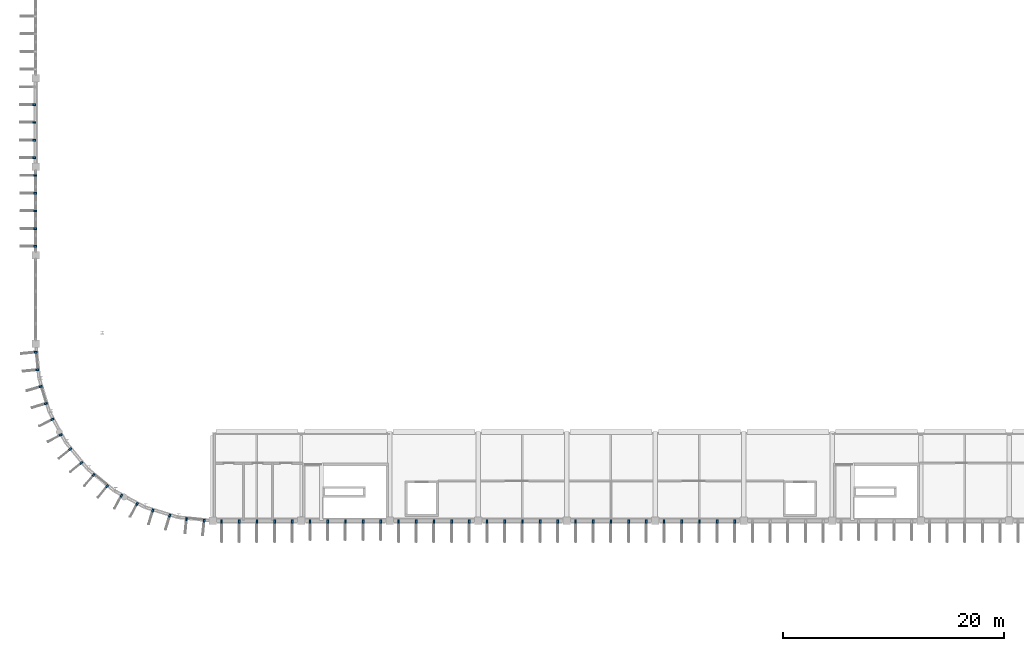
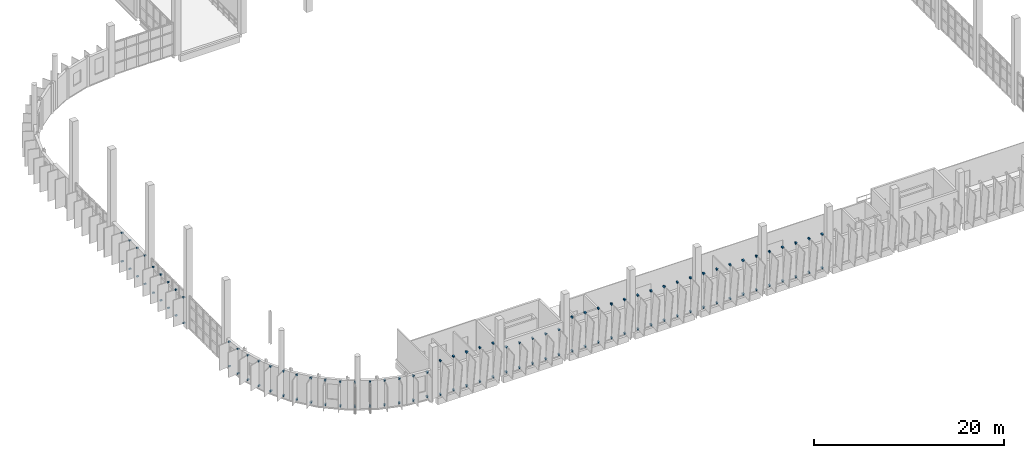
# One storey, part 55 of 66: 110 discrete accessories.
"""IFC4 building model written with IfcOpenShell, lengths in metres."""

from ifc_helpers import new_model, si_unit, direction, frame, origin, origin_2d, place, context, subcontext, project, spatial, rectangle, extrude, material, type_object, element, save


model = new_model("IFC4")

# Units and contexts
model_context = context("Model", 3, precision=1e-05, world=origin(), true_north=direction((0.0, 1.0)))
body_context = subcontext(model_context, "Body", "Model", "MODEL_VIEW")
ifc_project = project(units=[si_unit("LENGTHUNIT", "METRE"), si_unit("AREAUNIT", "SQUARE_METRE"), si_unit("VOLUMEUNIT", "CUBIC_METRE"), si_unit("PLANEANGLEUNIT", "RADIAN"), si_unit("MASSUNIT", "GRAM", prefix="KILO")], contexts=[model_context])

# Site, building, storey
site_placement = place(None, origin())
site = spatial("IfcSite", under=ifc_project, at=site_placement, CompositionType="ELEMENT")
building_placement = place(site_placement, origin())
building = spatial("IfcBuilding", under=site, at=building_placement, Name="Drelvana Railside Aquatics Centre", CompositionType="ELEMENT")
storey_placement = place(building_placement, frame((0.0, 0.0, 10.199951171875)))
storey = spatial("IfcBuildingStorey", under=building, at=storey_placement, Name="L02", CompositionType="ELEMENT", Elevation=10.199951171875)

# Discrete accessories
ifc_material = material(Name="Stainless steel 316 facade bracket", Category="steel")
discrete_accessory_type = type_object("IfcDiscreteAccessoryType", Name="ACC-BRACKET-FIN", PredefinedType="BRACKET", material=ifc_material)
for number, where, z_axis, x_axis, name in (
    (1, (16.800048828125, 15.925048828125, -0.01513671875), (0.0, 0.0, 1.0), (0.0, -1.0, 0.0), "Shading fin bracket BK-0015"),
    (2, (16.800048828125, 15.925048828125, 4.294921875), (0.0, 0.0, 1.0), (0.0, -1.0, 0.0), "Shading fin bracket BK-0016"),
    (3, (18.39990234375, 15.925048828125, -0.01513671875), (0.0, 0.0, 1.0), (0.0, -1.0, 0.0), "Shading fin bracket BK-0017"),
    (4, (18.39990234375, 15.925048828125, 4.294921875), (0.0, 0.0, 1.0), (0.0, -1.0, 0.0), "Shading fin bracket BK-0018"),
    (5, (20.0, 15.925048828125, -0.01513671875), (0.0, 0.0, 1.0), (0.0, -1.0, 0.0), "Shading fin bracket BK-0019"),
    (6, (20.0, 15.925048828125, 4.294921875), (0.0, 0.0, 1.0), (0.0, -1.0, 0.0), "Shading fin bracket BK-0020"),
    (7, (21.60009765625, 15.925048828125, -0.01513671875), (0.0, 0.0, 1.0), (0.0, -1.0, 0.0), "Shading fin bracket BK-0021"),
    (8, (21.60009765625, 15.925048828125, 4.294921875), (0.0, 0.0, 1.0), (0.0, -1.0, 0.0), "Shading fin bracket BK-0022"),
    (9, (23.199951171875, 15.925048828125, -0.01513671875), (0.0, 0.0, 1.0), (0.0, -1.0, 0.0), "Shading fin bracket BK-0023"),
    (10, (23.199951171875, 15.925048828125, 4.294921875), (0.0, 0.0, 1.0), (0.0, -1.0, 0.0), "Shading fin bracket BK-0024"),
    (11, (24.800048828125, 15.929931640625, 0.06494140625), (0.0, 0.0, 1.0), (0.0, -1.0, 0.0), "Shading fin bracket BK-0045"),
    (12, (24.800048828125, 15.929931640625, 3.26513671875), (0.0, 0.0, 1.0), (0.0, -1.0, 0.0), "Shading fin bracket BK-0046"),
    (13, (26.39990234375, 15.929931640625, 0.06494140625), (0.0, 0.0, 1.0), (0.0, -1.0, 0.0), "Shading fin bracket BK-0047"),
    (14, (26.39990234375, 15.929931640625, 3.26513671875), (0.0, 0.0, 1.0), (0.0, -1.0, 0.0), "Shading fin bracket BK-0048"),
    (15, (28.0, 15.929931640625, 0.06494140625), (0.0, 0.0, 1.0), (0.0, -1.0, 0.0), "Shading fin bracket BK-0049"),
    (16, (28.0, 15.929931640625, 3.26513671875), (0.0, 0.0, 1.0), (0.0, -1.0, 0.0), "Shading fin bracket BK-0050"),
    (17, (29.60009765625, 15.929931640625, 0.06494140625), (0.0, 0.0, 1.0), (0.0, -1.0, 0.0), "Shading fin bracket BK-0051"),
    (18, (29.60009765625, 15.929931640625, 3.26513671875), (0.0, 0.0, 1.0), (0.0, -1.0, 0.0), "Shading fin bracket BK-0052"),
    (19, (31.199951171875, 15.929931640625, 0.06494140625), (0.0, 0.0, 1.0), (0.0, -1.0, 0.0), "Shading fin bracket BK-0053"),
    (20, (31.199951171875, 15.929931640625, 3.26513671875), (0.0, 0.0, 1.0), (0.0, -1.0, 0.0), "Shading fin bracket BK-0054"),
    (21, (32.800048828125, 15.925048828125, -0.01513671875), (0.0, 0.0, 1.0), (0.0, -1.0, 0.0), "Shading fin bracket BK-0073"),
    (22, (32.800048828125, 15.925048828125, 4.294921875), (0.0, 0.0, 1.0), (0.0, -1.0, 0.0), "Shading fin bracket BK-0074"),
    (23, (34.39990234375, 15.925048828125, -0.01513671875), (0.0, 0.0, 1.0), (0.0, -1.0, 0.0), "Shading fin bracket BK-0075"),
    (24, (34.39990234375, 15.925048828125, 4.294921875), (0.0, 0.0, 1.0), (0.0, -1.0, 0.0), "Shading fin bracket BK-0076"),
    (25, (36.0, 15.925048828125, -0.01513671875), (0.0, 0.0, 1.0), (0.0, -1.0, 0.0), "Shading fin bracket BK-0077"),
    (26, (36.0, 15.925048828125, 4.294921875), (0.0, 0.0, 1.0), (0.0, -1.0, 0.0), "Shading fin bracket BK-0078"),
    (27, (37.60009765625, 15.925048828125, -0.01513671875), (0.0, 0.0, 1.0), (0.0, -1.0, 0.0), "Shading fin bracket BK-0079"),
    (28, (37.60009765625, 15.925048828125, 4.294921875), (0.0, 0.0, 1.0), (0.0, -1.0, 0.0), "Shading fin bracket BK-0080"),
    (29, (39.199951171875, 15.925048828125, -0.01513671875), (0.0, 0.0, 1.0), (0.0, -1.0, 0.0), "Shading fin bracket BK-0081"),
    (30, (39.199951171875, 15.925048828125, 4.294921875), (0.0, 0.0, 1.0), (0.0, -1.0, 0.0), "Shading fin bracket BK-0082"),
    (31, (40.800048828125, 15.925048828125, -0.01513671875), (0.0, 0.0, 1.0), (0.0, -1.0, 0.0), "Shading fin bracket BK-0101"),
    (32, (40.800048828125, 15.925048828125, 4.294921875), (0.0, 0.0, 1.0), (0.0, -1.0, 0.0), "Shading fin bracket BK-0102"),
    (33, (42.39990234375, 15.925048828125, -0.01513671875), (0.0, 0.0, 1.0), (0.0, -1.0, 0.0), "Shading fin bracket BK-0103"),
    (34, (42.39990234375, 15.925048828125, 4.294921875), (0.0, 0.0, 1.0), (0.0, -1.0, 0.0), "Shading fin bracket BK-0104"),
    (35, (44.0, 15.925048828125, -0.01513671875), (0.0, 0.0, 1.0), (0.0, -1.0, 0.0), "Shading fin bracket BK-0105"),
    (36, (44.0, 15.925048828125, 4.294921875), (0.0, 0.0, 1.0), (0.0, -1.0, 0.0), "Shading fin bracket BK-0106"),
    (37, (45.60009765625, 15.925048828125, -0.01513671875), (0.0, 0.0, 1.0), (0.0, -1.0, 0.0), "Shading fin bracket BK-0107"),
    (38, (45.60009765625, 15.925048828125, 4.294921875), (0.0, 0.0, 1.0), (0.0, -1.0, 0.0), "Shading fin bracket BK-0108"),
    (39, (47.199951171875, 15.925048828125, -0.01513671875), (0.0, 0.0, 1.0), (0.0, -1.0, 0.0), "Shading fin bracket BK-0109"),
    (40, (47.199951171875, 15.925048828125, 4.294921875), (0.0, 0.0, 1.0), (0.0, -1.0, 0.0), "Shading fin bracket BK-0110"),
    (41, (48.800048828125, 15.925048828125, -0.01513671875), (0.0, 0.0, 1.0), (0.0, -1.0, 0.0), "Shading fin bracket BK-0133"),
    (42, (48.800048828125, 15.925048828125, 4.294921875), (0.0, 0.0, 1.0), (0.0, -1.0, 0.0), "Shading fin bracket BK-0134"),
    (43, (50.39990234375, 15.925048828125, -0.01513671875), (0.0, 0.0, 1.0), (0.0, -1.0, 0.0), "Shading fin bracket BK-0135"),
    (44, (50.39990234375, 15.925048828125, 4.294921875), (0.0, 0.0, 1.0), (0.0, -1.0, 0.0), "Shading fin bracket BK-0136"),
    (45, (52.0, 15.925048828125, -0.01513671875), (0.0, 0.0, 1.0), (0.0, -1.0, 0.0), "Shading fin bracket BK-0137"),
    (46, (52.0, 15.925048828125, 4.294921875), (0.0, 0.0, 1.0), (0.0, -1.0, 0.0), "Shading fin bracket BK-0138"),
    (47, (53.60009765625, 15.925048828125, -0.01513671875), (0.0, 0.0, 1.0), (0.0, -1.0, 0.0), "Shading fin bracket BK-0139"),
    (48, (53.60009765625, 15.925048828125, 4.294921875), (0.0, 0.0, 1.0), (0.0, -1.0, 0.0), "Shading fin bracket BK-0140"),
    (49, (55.199951171875, 15.925048828125, -0.01513671875), (0.0, 0.0, 1.0), (0.0, -1.0, 0.0), "Shading fin bracket BK-0141"),
    (50, (55.199951171875, 15.925048828125, 4.294921875), (0.0, 0.0, 1.0), (0.0, -1.0, 0.0), "Shading fin bracket BK-0142"),
    (51, (56.800048828125, 15.925048828125, -0.01513671875), (0.0, 0.0, 1.0), (0.0, -1.0, 0.0), "Shading fin bracket BK-0157"),
    (52, (56.800048828125, 15.925048828125, 4.294921875), (0.0, 0.0, 1.0), (0.0, -1.0, 0.0), "Shading fin bracket BK-0158"),
    (53, (58.39990234375, 15.925048828125, -0.01513671875), (0.0, 0.0, 1.0), (0.0, -1.0, 0.0), "Shading fin bracket BK-0159"),
    (54, (58.39990234375, 15.925048828125, 4.294921875), (0.0, 0.0, 1.0), (0.0, -1.0, 0.0), "Shading fin bracket BK-0160"),
    (55, (60.0, 15.925048828125, -0.01513671875), (0.0, 0.0, 1.0), (0.0, -1.0, 0.0), "Shading fin bracket BK-0161"),
    (56, (60.0, 15.925048828125, 4.294921875), (0.0, 0.0, 1.0), (0.0, -1.0, 0.0), "Shading fin bracket BK-0162"),
    (57, (61.60009765625, 15.925048828125, -0.01513671875), (0.0, 0.0, 1.0), (0.0, -1.0, 0.0), "Shading fin bracket BK-0163"),
    (58, (61.60009765625, 15.925048828125, 4.294921875), (0.0, 0.0, 1.0), (0.0, -1.0, 0.0), "Shading fin bracket BK-0164"),
    (59, (63.199951171875, 15.925048828125, -0.01513671875), (0.0, 0.0, 1.0), (0.0, -1.0, 0.0), "Shading fin bracket BK-0165"),
    (60, (63.199951171875, 15.925048828125, 4.294921875), (0.0, 0.0, 1.0), (0.0, -1.0, 0.0), "Shading fin bracket BK-0166"),
    (61, (-0.030029296875, 40.800048828125, -0.03466796875), (0.0, 0.0, 1.0), (-1.0, 0.0, 0.0), "Shading fin bracket BK-0443"),
    (62, (-0.030029296875, 40.800048828125, 3.27490234375), (0.0, 0.0, 1.0), (-1.0, 0.0, 0.0), "Shading fin bracket BK-0444"),
    (63, (-0.030029296875, 42.39990234375, -0.03466796875), (0.0, 0.0, 1.0), (-1.0, 0.0, 0.0), "Shading fin bracket BK-0445"),
    (64, (-0.030029296875, 42.39990234375, 3.27490234375), (0.0, 0.0, 1.0), (-1.0, 0.0, 0.0), "Shading fin bracket BK-0446"),
    (65, (-0.030029296875, 44.0, -0.03466796875), (0.0, 0.0, 1.0), (-1.0, 0.0, 0.0), "Shading fin bracket BK-0447"),
    (66, (-0.030029296875, 44.0, 3.27490234375), (0.0, 0.0, 1.0), (-1.0, 0.0, 0.0), "Shading fin bracket BK-0448"),
    (67, (-0.030029296875, 45.60009765625, -0.03466796875), (0.0, 0.0, 1.0), (-1.0, 0.0, 0.0), "Shading fin bracket BK-0449"),
    (68, (-0.030029296875, 45.60009765625, 3.27490234375), (0.0, 0.0, 1.0), (-1.0, 0.0, 0.0), "Shading fin bracket BK-0450"),
    (69, (-0.030029296875, 47.199951171875, -0.03466796875), (0.0, 0.0, 1.0), (-1.0, 0.0, 0.0), "Shading fin bracket BK-0451"),
    (70, (-0.030029296875, 47.199951171875, 3.27490234375), (0.0, 0.0, 1.0), (-1.0, 0.0, 0.0), "Shading fin bracket BK-0452"),
    (71, (-0.114990234375, 48.800048828125, 0.1650390625), (0.0, 0.0, 1.0), (-1.0, 0.0, 0.0), "Shading fin bracket BK-0483"),
    (72, (-0.114990234375, 48.800048828125, 3.8251953125), (0.0, 0.0, 1.0), (-1.0, 0.0, 0.0), "Shading fin bracket BK-0484"),
    (73, (-0.114990234375, 50.39990234375, 0.1650390625), (0.0, 0.0, 1.0), (-1.0, 0.0, 0.0), "Shading fin bracket BK-0485"),
    (74, (-0.114990234375, 50.39990234375, 3.8251953125), (0.0, 0.0, 1.0), (-1.0, 0.0, 0.0), "Shading fin bracket BK-0486"),
    (75, (-0.114990234375, 52.0, 0.1650390625), (0.0, 0.0, 1.0), (-1.0, 0.0, 0.0), "Shading fin bracket BK-0487"),
    (76, (-0.114990234375, 52.0, 3.8251953125), (0.0, 0.0, 1.0), (-1.0, 0.0, 0.0), "Shading fin bracket BK-0488"),
    (77, (-0.114990234375, 53.60009765625, 0.1650390625), (0.0, 0.0, 1.0), (-1.0, 0.0, 0.0), "Shading fin bracket BK-0489"),
    (78, (-0.114990234375, 53.60009765625, 3.8251953125), (0.0, 0.0, 1.0), (-1.0, 0.0, 0.0), "Shading fin bracket BK-0490"),
    (79, (-0.00927734375, 31.22705078125, 0.21533203125), (0.0, 0.0, 1.0), (-0.995184726672, -0.09801714033, 0.0), "Shading fin bracket BK-0567"),
    (80, (-0.00927734375, 31.22705078125, 3.35498046875), (0.0, 0.0, 1.0), (-0.995184726672, -0.09801714033, 0.0), "Shading fin bracket BK-0568"),
    (81, (0.1474609375, 29.634765625, 0.21533203125), (0.0, 0.0, 1.0), (-0.995184726672, -0.09801714033, 0.0), "Shading fin bracket BK-0569"),
    (82, (0.1474609375, 29.634765625, 3.35498046875), (0.0, 0.0, 1.0), (-0.995184726672, -0.09801714033, 0.0), "Shading fin bracket BK-0570"),
    (83, (0.44921875, 28.11865234375, 0.21533203125), (0.0, 0.0, 1.0), (-0.956940335732, -0.290284677254, 0.0), "Shading fin bracket BK-0583"),
    (84, (0.44921875, 28.11865234375, 3.35498046875), (0.0, 0.0, 1.0), (-0.956940335732, -0.290284677254, 0.0), "Shading fin bracket BK-0584"),
    (85, (0.91357421875, 26.587646484375, 0.21533203125), (0.0, 0.0, 1.0), (-0.956940335732, -0.290284677254, 0.0), "Shading fin bracket BK-0585"),
    (86, (0.91357421875, 26.587646484375, 3.35498046875), (0.0, 0.0, 1.0), (-0.956940335732, -0.290284677254, 0.0), "Shading fin bracket BK-0586"),
    (87, (1.505126953125, 25.159423828125, 0.21533203125), (0.0, 0.0, 1.0), (-0.881921264348, -0.471396736826, 0.0), "Shading fin bracket BK-0599"),
    (88, (1.505126953125, 25.159423828125, 3.35498046875), (0.0, 0.0, 1.0), (-0.881921264348, -0.471396736826, 0.0), "Shading fin bracket BK-0600"),
    (89, (2.259521484375, 23.748291015625, 0.21533203125), (0.0, 0.0, 1.0), (-0.881921264348, -0.471396736826, 0.0), "Shading fin bracket BK-0601"),
    (90, (2.259521484375, 23.748291015625, 3.35498046875), (0.0, 0.0, 1.0), (-0.881921264348, -0.471396736826, 0.0), "Shading fin bracket BK-0602"),
    (91, (3.1181640625, 22.463134765625, 0.21533203125), (0.0, 0.0, 1.0), (-0.773010453363, -0.634393284164, 0.0), "Shading fin bracket BK-0615"),
    (92, (3.1181640625, 22.463134765625, 3.35498046875), (0.0, 0.0, 1.0), (-0.773010453363, -0.634393284164, 0.0), "Shading fin bracket BK-0616"),
    (93, (4.13330078125, 21.226318359375, 0.21533203125), (0.0, 0.0, 1.0), (-0.773010453363, -0.634393284164, 0.0), "Shading fin bracket BK-0617"),
    (94, (4.13330078125, 21.226318359375, 3.35498046875), (0.0, 0.0, 1.0), (-0.773010453363, -0.634393284164, 0.0), "Shading fin bracket BK-0618"),
    (95, (5.226318359375, 20.13330078125, 0.21533203125), (0.0, 0.0, 1.0), (-0.634393284164, -0.773010453363, 0.0), "Shading fin bracket BK-0631"),
    (96, (5.226318359375, 20.13330078125, 3.35498046875), (0.0, 0.0, 1.0), (-0.634393284164, -0.773010453363, 0.0), "Shading fin bracket BK-0632"),
    (97, (6.463134765625, 19.1181640625, 0.21533203125), (0.0, 0.0, 1.0), (-0.634393284164, -0.773010453363, 0.0), "Shading fin bracket BK-0633"),
    (98, (6.463134765625, 19.1181640625, 3.35498046875), (0.0, 0.0, 1.0), (-0.634393284164, -0.773010453363, 0.0), "Shading fin bracket BK-0634"),
    (99, (7.748291015625, 18.259521484375, 0.21533203125), (0.0, 0.0, 1.0), (-0.471396736826, -0.881921264348, 0.0), "Shading fin bracket BK-0647"),
    (100, (7.748291015625, 18.259521484375, 3.35498046875), (0.0, 0.0, 1.0), (-0.471396736826, -0.881921264348, 0.0), "Shading fin bracket BK-0648"),
    (101, (9.159423828125, 17.505126953125, 0.21533203125), (0.0, 0.0, 1.0), (-0.471396736826, -0.881921264348, 0.0), "Shading fin bracket BK-0649"),
    (102, (9.159423828125, 17.505126953125, 3.35498046875), (0.0, 0.0, 1.0), (-0.471396736826, -0.881921264348, 0.0), "Shading fin bracket BK-0650"),
    (103, (10.587646484375, 16.91357421875, 0.21533203125), (0.0, 0.0, 1.0), (-0.290284677254, -0.956940335732, 0.0), "Shading fin bracket BK-0663"),
    (104, (10.587646484375, 16.91357421875, 3.35498046875), (0.0, 0.0, 1.0), (-0.290284677254, -0.956940335732, 0.0), "Shading fin bracket BK-0664"),
    (105, (12.11865234375, 16.44921875, 0.21533203125), (0.0, 0.0, 1.0), (-0.290284677254, -0.956940335732, 0.0), "Shading fin bracket BK-0665"),
    (106, (12.11865234375, 16.44921875, 3.35498046875), (0.0, 0.0, 1.0), (-0.290284677254, -0.956940335732, 0.0), "Shading fin bracket BK-0666"),
    (107, (13.634765625, 16.1474609375, 0.21533203125), (0.0, 0.0, 1.0), (-0.09801714033, -0.995184726672, 0.0), "Shading fin bracket BK-0679"),
    (108, (13.634765625, 16.1474609375, 3.35498046875), (0.0, 0.0, 1.0), (-0.09801714033, -0.995184726672, 0.0), "Shading fin bracket BK-0680"),
    (109, (15.22705078125, 15.99072265625, 0.21533203125), (0.0, 0.0, 1.0), (-0.09801714033, -0.995184726672, 0.0), "Shading fin bracket BK-0681"),
    (110, (15.22705078125, 15.99072265625, 3.35498046875), (0.0, 0.0, 1.0), (-0.09801714033, -0.995184726672, 0.0), "Shading fin bracket BK-0682"),
):
    element("IfcDiscreteAccessory", number, at=place(storey_placement, frame(where, z_axis=z_axis, x_axis=x_axis)), inside=storey, type_object=discrete_accessory_type, Name=name, PredefinedType="BRACKET", context=body_context, shape_type="SweptSolid", body=[
        extrude(rectangle(XDim=0.280029296875, YDim=0.159912109375, at=origin_2d()), origin(), (0.0, 0.0, 1.0), 0.159912109375),
    ])

save(model, "model.ifc")
